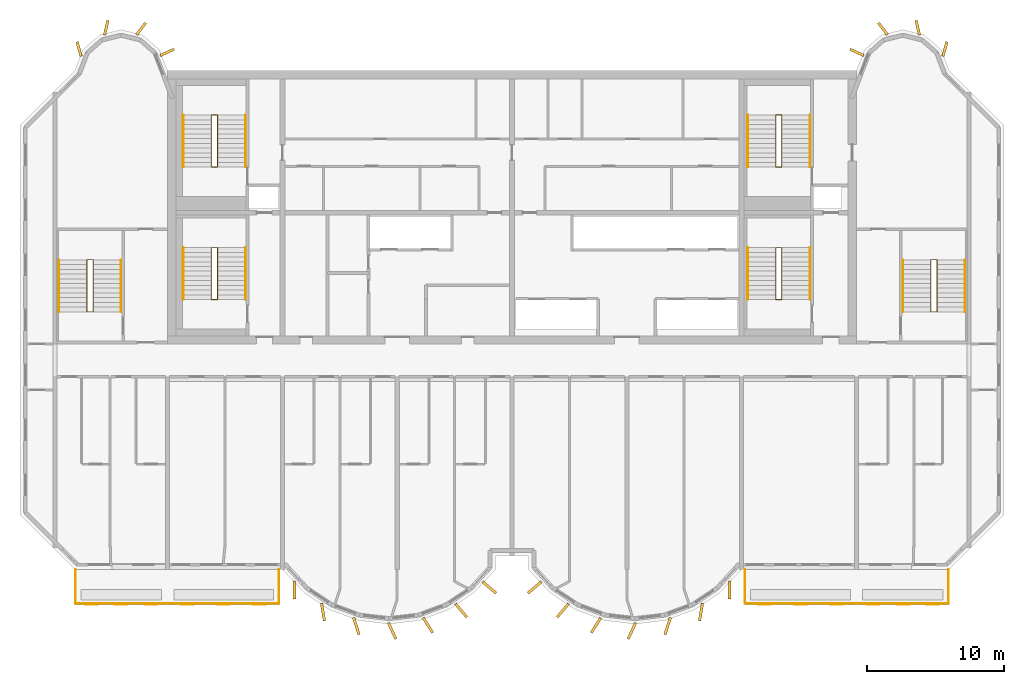
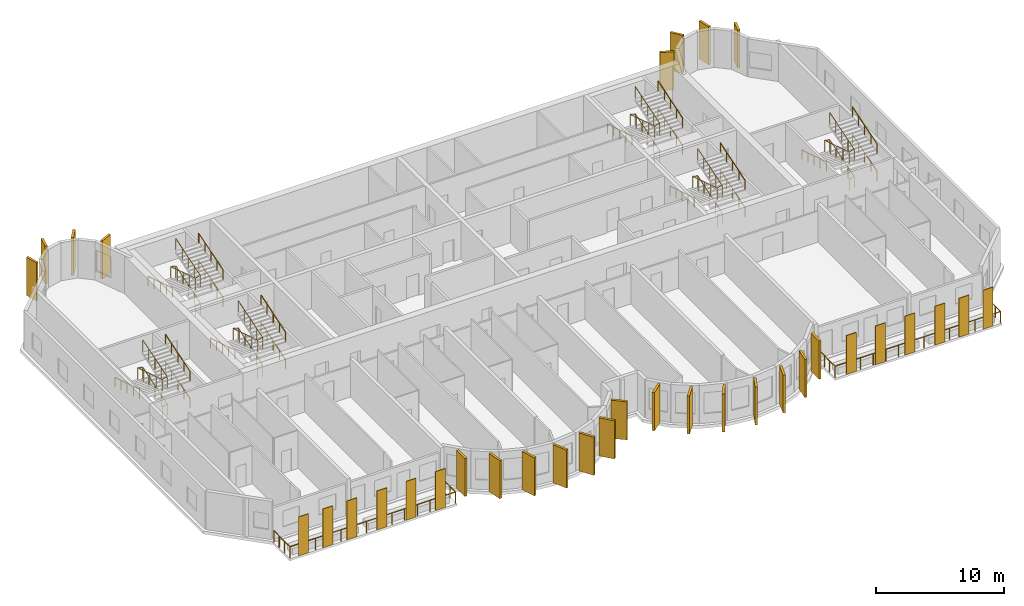
# One storey, part 10 of 11: 34 coverings, 26 railings.
"""IFC4 building model written with IfcOpenShell, lengths in metres."""

from ifc_helpers import new_model, si_unit, direction, frame, origin, origin_2d, place, context, subcontext, project, spatial, rectangle, circle, extrude, source, transform, mapped, material, layer, layer_set, material_profile, profile_set, type_object, element, save


model = new_model("IFC4")

# Units and contexts
model_context = context("Model", 3, precision=1e-05, world=origin(), true_north=direction((0.0, 1.0)))
body_context = subcontext(model_context, "Body", "Model", "MODEL_VIEW")
ifc_project = project(units=[si_unit("LENGTHUNIT", "METRE"), si_unit("AREAUNIT", "SQUARE_METRE"), si_unit("VOLUMEUNIT", "CUBIC_METRE"), si_unit("PLANEANGLEUNIT", "RADIAN"), si_unit("MASSUNIT", "GRAM", prefix="KILO")], contexts=[model_context])

# Site, building, storey
site_placement = place(None, origin())
site = spatial("IfcSite", under=ifc_project, at=site_placement, CompositionType="ELEMENT")
building_placement = place(site_placement, origin())
building = spatial("IfcBuilding", under=site, at=building_placement, Name="Vanashikhar Sky Hotel", CompositionType="ELEMENT")
storey_placement = place(building_placement, frame((0.0, 0.0, 245.199951171875)))
storey = spatial("IfcBuildingStorey", under=building, at=storey_placement, Name="L59", CompositionType="ELEMENT", Elevation=245.199951171875)

# Railings
ifc_material_1 = material(Name="Stainless steel 316", Category="steel")
railing_type_1 = type_object("IfcRailingType", Name="Balcony guard 1100", PredefinedType="GUARDRAIL", material=ifc_material_1)
shared_shape_1 = source(origin(), body_context, "Body", "SweptSolid", [
    extrude(circle(Radius=0.02392578125, at=origin_2d()), frame((0.0, 0.0, 1.076171875), z_axis=(0.0, -1.0, 0.0), x_axis=(1.0, 0.0, 0.0)), (0.0, 0.0, 1.0), 2.5),
    extrude(circle(Radius=0.02392578125, at=origin_2d()), frame((0.0, -2.5, 1.076171875), z_axis=(1.0, 0.0, 0.0), x_axis=(0.0, 1.0, 0.0)), (0.0, 0.0, 1.0), 14.880126953125),
    extrude(circle(Radius=0.02392578125, at=origin_2d()), frame((14.880126953125, -2.5, 1.076171875), z_axis=(0.0, 1.0, 0.0), x_axis=(-1.0, 0.0, 0.0)), (0.0, 0.0, 1.0), 2.5),
    extrude(circle(Radius=0.02099609375, at=origin_2d()), origin(), (0.0, 0.0, 1.0), 1.052001953125),
    extrude(circle(Radius=0.02099609375, at=origin_2d()), frame((0.0, -0.833251953125, 0.0)), (0.0, 0.0, 1.0), 1.052001953125),
    extrude(circle(Radius=0.02099609375, at=origin_2d()), frame((0.0, -1.666748046875, 0.0)), (0.0, 0.0, 1.0), 1.052001953125),
    extrude(circle(Radius=0.02099609375, at=origin_2d()), frame((0.0, -2.5, 0.0)), (0.0, 0.0, 1.0), 1.052001953125),
    extrude(circle(Radius=0.02099609375, at=origin_2d()), frame((1.14453125, -2.5, 0.0)), (0.0, 0.0, 1.0), 1.052001953125),
    extrude(circle(Radius=0.02099609375, at=origin_2d()), frame((2.289306640625, -2.5, 0.0)), (0.0, 0.0, 1.0), 1.052001953125),
    extrude(circle(Radius=0.02099609375, at=origin_2d()), frame((3.433837890625, -2.5, 0.0)), (0.0, 0.0, 1.0), 1.052001953125),
    extrude(circle(Radius=0.02099609375, at=origin_2d()), frame((4.57861328125, -2.5, 0.0)), (0.0, 0.0, 1.0), 1.052001953125),
    extrude(circle(Radius=0.02099609375, at=origin_2d()), frame((5.72314453125, -2.5, 0.0)), (0.0, 0.0, 1.0), 1.052001953125),
    extrude(circle(Radius=0.02099609375, at=origin_2d()), frame((6.86767578125, -2.5, 0.0)), (0.0, 0.0, 1.0), 1.052001953125),
    extrude(circle(Radius=0.02099609375, at=origin_2d()), frame((8.012451171875, -2.5, 0.0)), (0.0, 0.0, 1.0), 1.052001953125),
    extrude(circle(Radius=0.02099609375, at=origin_2d()), frame((9.156982421875, -2.5, 0.0)), (0.0, 0.0, 1.0), 1.052001953125),
    extrude(circle(Radius=0.02099609375, at=origin_2d()), frame((10.301513671875, -2.5, 0.0)), (0.0, 0.0, 1.0), 1.052001953125),
    extrude(circle(Radius=0.02099609375, at=origin_2d()), frame((11.4462890625, -2.5, 0.0)), (0.0, 0.0, 1.0), 1.052001953125),
    extrude(circle(Radius=0.02099609375, at=origin_2d()), frame((12.5908203125, -2.5, 0.0)), (0.0, 0.0, 1.0), 1.052001953125),
    extrude(circle(Radius=0.02099609375, at=origin_2d()), frame((13.735595703125, -2.5, 0.0)), (0.0, 0.0, 1.0), 1.052001953125),
    extrude(circle(Radius=0.02099609375, at=origin_2d()), frame((14.880126953125, -2.5, 0.0)), (0.0, 0.0, 1.0), 1.052001953125),
    extrude(circle(Radius=0.02099609375, at=origin_2d()), frame((14.880126953125, -1.666748046875, 0.0)), (0.0, 0.0, 1.0), 1.052001953125),
    extrude(circle(Radius=0.02099609375, at=origin_2d()), frame((14.880126953125, -0.833251953125, 0.0)), (0.0, 0.0, 1.0), 1.052001953125),
    extrude(circle(Radius=0.02099609375, at=origin_2d()), frame((14.880126953125, 0.0, 0.0)), (0.0, 0.0, 1.0), 1.052001953125),
])
for number, where, name in (
    (1, (18.4599609375, 5.5, -0.050048828125), "Balcony guard"),
    (2, (67.4599609375, 5.5, -0.050048828125), "Balcony guard"),
):
    element("IfcRailing", number, at=place(storey_placement, frame(where)), inside=storey, type_object=railing_type_1, Name=name, PredefinedType="GUARDRAIL", context=body_context, shape_type="MappedRepresentation", body=[
        mapped(shared_shape_1, transform((0.0, 0.0, 0.0), scale=1.0)),
    ])

# Coverings
ifc_material_2 = material(Name="Terracotta", Category="masonry")
ifc_layer = layer(ifc_material_2, 0.06005859375)
ifc_layer_set = layer_set([ifc_layer], Name="Terracotta baguette screen")
covering_type_1 = type_object("IfcCoveringType", Name="Terracotta baguette screen", PredefinedType="CLADDING", material=ifc_layer_set)
shared_shape_2 = source(origin(), body_context, "Body", "SweptSolid", [
    extrude(rectangle(XDim=0.89990234375, YDim=0.06005859375, at=origin_2d()), origin(), (0.0, 0.0, 1.0), 3.699951171875),
])
for number, where, z_axis, x_axis, name in (
    (3, (19.63330078125, 2.929931640625, -0.0498046875), (0.0, 0.0, 1.0), (1.0, 0.0, 0.0), "Terracotta screen"),
    (4, (21.800048828125, 2.929931640625, -0.0498046875), (0.0, 0.0, 1.0), (1.0, 0.0, 0.0), "Terracotta screen"),
    (5, (23.966796875, 2.929931640625, -0.0498046875), (0.0, 0.0, 1.0), (1.0, 0.0, 0.0), "Terracotta screen"),
    (6, (26.666748046875, 2.929931640625, -0.0498046875), (0.0, 0.0, 1.0), (1.0, 0.0, 0.0), "Terracotta screen"),
    (7, (29.300048828125, 2.929931640625, -0.0498046875), (0.0, 0.0, 1.0), (1.0, 0.0, 0.0), "Terracotta screen"),
    (8, (31.933349609375, 2.929931640625, -0.0498046875), (0.0, 0.0, 1.0), (1.0, 0.0, 0.0), "Terracotta screen"),
    (9, (68.86669921875, 2.929931640625, -0.0498046875), (0.0, 0.0, 1.0), (1.0, 0.0, 0.0), "Terracotta screen"),
    (10, (71.5, 2.929931640625, -0.0498046875), (0.0, 0.0, 1.0), (1.0, 0.0, 0.0), "Terracotta screen"),
    (11, (74.13330078125, 2.929931640625, -0.0498046875), (0.0, 0.0, 1.0), (1.0, 0.0, 0.0), "Terracotta screen"),
    (12, (76.833251953125, 2.929931640625, -0.0498046875), (0.0, 0.0, 1.0), (1.0, 0.0, 0.0), "Terracotta screen"),
    (13, (79.0, 2.929931640625, -0.0498046875), (0.0, 0.0, 1.0), (1.0, 0.0, 0.0), "Terracotta screen"),
    (14, (81.166748046875, 2.929931640625, -0.0498046875), (0.0, 0.0, 1.0), (1.0, 0.0, 0.0), "Terracotta screen"),
):
    element("IfcCovering", number, at=place(storey_placement, frame(where, z_axis=z_axis, x_axis=x_axis)), inside=storey, type_object=covering_type_1, Name=name, PredefinedType="CLADDING", context=body_context, shape_type="MappedRepresentation", body=[
        mapped(shared_shape_2, transform((0.0, 0.0, 0.0), scale=1.0)),
    ])
ifc_material_3 = material(Name="Concrete M60 dark", Category="concrete")
ifc_material_profile_1 = material_profile(ifc_material_3, rectangle(XDim=1.300048828125, YDim=0.199951171875, at=origin_2d()))
ifc_profile_set_1 = profile_set([ifc_material_profile_1], Name="Fin 1300 x 200")
covering_type_2 = type_object("IfcCoveringType", Name="Fin 1300 x 200", PredefinedType="CLADDING", material=ifc_profile_set_1)
shared_shape_3 = source(origin(), body_context, "Body", "SweptSolid", [
    extrude(rectangle(XDim=1.300048828125, YDim=0.199951171875, at=origin_2d()), origin(), (0.0, 0.0, 1.0), 3.6201171875),
])
for number, where, z_axis, x_axis, name in (
    (15, (34.482421875, 3.992919921875, 0.0), (0.0, 0.0, 1.0), (0.011588726826, -0.999932848451, 0.0), "Fin F1-1"),
    (16, (36.572509765625, 2.3779296875, 0.0), (0.0, 0.0, 1.0), (0.16989991575, -0.985461322746, 0.0), "Fin F1-2"),
    (17, (39.00830078125, 1.35693359375, 0.0), (0.0, 0.0, 1.0), (0.303966551867, -0.952682704444, 0.0), "Fin F1-3"),
    (18, (41.63232421875, 1.00146484375, 0.0), (0.0, 0.0, 1.0), (0.422618261741, -0.906307787037, 0.0), "Fin F1-4"),
    (19, (44.251953125, 1.416015625, 0.0), (0.0, 0.0, 1.0), (0.534411358496, -0.845224526331, 0.0), "Fin F1-5"),
    (20, (46.676025390625, 2.5, 0.0), (0.0, 0.0, 1.0), (0.645697609467, -0.763593214433, 0.0), "Fin F1-6"),
    (21, (48.7412109375, 4.1845703125, 0.0), (0.0, 0.0, 1.0), (0.758543912032, -0.65162192529, 0.0), "Fin F1-7"),
    (22, (52.058837890625, 4.1845703125, 0.0), (0.0, 0.0, 1.0), (-0.758543912032, -0.65162192529, 0.0), "Fin F2-1"),
    (23, (54.123779296875, 2.5, 0.0), (0.0, 0.0, 1.0), (-0.645697609467, -0.763593214433, 0.0), "Fin F2-2"),
    (24, (56.547119140625, 1.416015625, 0.0), (0.0, 0.0, 1.0), (-0.534411358496, -0.845224526331, 0.0), "Fin F2-3"),
    (25, (59.16748046875, 1.00146484375, 0.0), (0.0, 0.0, 1.0), (-0.422618261741, -0.906307787037, 0.0), "Fin F2-4"),
    (26, (61.790771484375, 1.35693359375, 0.0), (0.0, 0.0, 1.0), (-0.303966551867, -0.952682704444, 0.0), "Fin F2-5"),
    (27, (64.2275390625, 2.3779296875, 0.0), (0.0, 0.0, 1.0), (-0.16989991575, -0.985461322746, 0.0), "Fin F2-6"),
    (28, (66.317626953125, 3.992919921875, 0.0), (0.0, 0.0, 1.0), (-0.011588726826, -0.999932848451, 0.0), "Fin F2-7"),
):
    element("IfcCovering", number, at=place(storey_placement, frame(where, z_axis=z_axis, x_axis=x_axis)), inside=storey, type_object=covering_type_2, Name=name, PredefinedType="CLADDING", context=body_context, shape_type="MappedRepresentation", body=[
        mapped(shared_shape_3, transform((0.0, 0.0, 0.0), scale=1.0)),
    ])
ifc_material_profile_2 = material_profile(ifc_material_3, rectangle(XDim=1.10009765625, YDim=0.199951171875, at=origin_2d()))
ifc_profile_set_2 = profile_set([ifc_material_profile_2], Name="Rear lobe fin 1100 x 200")
covering_type_3 = type_object("IfcCoveringType", Name="Rear lobe fin 1100 x 200", PredefinedType="CLADDING", material=ifc_profile_set_2)
shared_shape_4 = source(origin(), body_context, "Body", "SweptSolid", [
    extrude(rectangle(XDim=1.10009765625, YDim=0.199951171875, at=origin_2d()), origin(), (0.0, 0.0, 1.0), 3.6201171875),
])
for number, where, z_axis, x_axis, name in (
    (29, (18.720703125, 43.580078125, 0.0), (0.0, 0.0, 1.0), (-0.262711264409, 0.964874495234, 0.0), "Fin R1-1"),
    (30, (20.710205078125, 45.1455078125, 0.0), (0.0, 0.0, 1.0), (0.224644935864, 0.974440687159, 0.0), "Fin R1-2"),
    (31, (23.261962890625, 45.06640625, 0.0), (0.0, 0.0, 1.0), (0.602065892195, 0.798446404874, 0.0), "Fin R1-3"),
    (32, (25.169677734375, 43.33447265625, 0.0), (0.0, 0.0, 1.0), (0.908004291068, 0.418960866193, 0.0), "Fin R1-4"),
    (33, (75.63037109375, 43.33447265625, 0.0), (0.0, 0.0, 1.0), (-0.908004291068, 0.418960866193, 0.0), "Fin R2-1"),
    (34, (77.5380859375, 45.06640625, 0.0), (0.0, 0.0, 1.0), (-0.602065892195, 0.798446404874, 0.0), "Fin R2-2"),
    (35, (80.08984375, 45.1455078125, 0.0), (0.0, 0.0, 1.0), (-0.224644935864, 0.974440687159, 0.0), "Fin R2-3"),
    (36, (82.0791015625, 43.580078125, 0.0), (0.0, 0.0, 1.0), (0.262711264409, 0.964874495234, 0.0), "Fin R2-4"),
):
    element("IfcCovering", number, at=place(storey_placement, frame(where, z_axis=z_axis, x_axis=x_axis)), inside=storey, type_object=covering_type_3, Name=name, PredefinedType="CLADDING", context=body_context, shape_type="MappedRepresentation", body=[
        mapped(shared_shape_4, transform((0.0, 0.0, 0.0), scale=1.0)),
    ])

# Railings
ifc_material_4 = material(Name="Steel S355", Category="steel")
railing_type_2 = type_object("IfcRailingType", Name="Stair handrail 900", PredefinedType="HANDRAIL", material=ifc_material_4)
shared_shape_5 = source(origin(), body_context, "Body", "SweptSolid", [
    extrude(circle(Radius=0.02392578125, at=origin_2d()), frame((0.0, 0.0, 0.8759765625), z_axis=(0.0, 0.95418390146, 0.299220791714), x_axis=(-1.0, 0.0, 0.0)), (0.0, 0.0, 1.0), 3.982421875),
    extrude(circle(Radius=0.02099609375, at=origin_2d()), origin(), (0.0, 0.0, 1.0), 0.851806640625),
    extrude(circle(Radius=0.02099609375, at=origin_2d()), frame((0.0, 0.949951171875, 0.2978515625)), (0.0, 0.0, 1.0), 0.851806640625),
    extrude(circle(Radius=0.02099609375, at=origin_2d()), frame((0.0, 1.89990234375, 0.595703125)), (0.0, 0.0, 1.0), 0.851806640625),
    extrude(circle(Radius=0.02099609375, at=origin_2d()), frame((0.0, 2.85009765625, 0.893798828125)), (0.0, 0.0, 1.0), 0.851806640625),
    extrude(circle(Radius=0.02099609375, at=origin_2d()), frame((0.0, 3.800048828125, 1.191650390625)), (0.0, 0.0, 1.0), 0.851806640625),
])
for number, where, name in (
    (37, (30.89990234375, 25.25, 0.1083984375), "Exit stair 1 handrail"),
    (38, (30.89990234375, 25.25, 2.70849609375), "Exit stair 1 handrail"),
    (39, (72.199951171875, 25.25, 0.1083984375), "Exit stair 2 handrail"),
    (40, (72.199951171875, 25.25, 2.70849609375), "Exit stair 2 handrail"),
    (41, (30.89990234375, 34.949951171875, 0.1083984375), "Exit stair 5 handrail"),
    (42, (30.89990234375, 34.949951171875, 2.70849609375), "Exit stair 5 handrail"),
    (43, (72.199951171875, 34.949951171875, 0.1083984375), "Exit stair 6 handrail"),
    (44, (72.199951171875, 34.949951171875, 2.70849609375), "Exit stair 6 handrail"),
):
    element("IfcRailing", number, at=place(storey_placement, frame(where)), inside=storey, type_object=railing_type_2, Name=name, PredefinedType="HANDRAIL", context=body_context, shape_type="MappedRepresentation", body=[
        mapped(shared_shape_5, transform((0.0, 0.0, 0.0), scale=1.0)),
    ])
shared_shape_6 = source(origin(), body_context, "Body", "SweptSolid", [
    extrude(circle(Radius=0.02392578125, at=origin_2d()), frame((0.0, 0.0, 0.8759765625), z_axis=(0.0, -0.95418390146, 0.299220791714), x_axis=(1.0, 0.0, 0.0)), (0.0, 0.0, 1.0), 3.982421875),
    extrude(circle(Radius=0.02099609375, at=origin_2d()), origin(), (0.0, 0.0, 1.0), 0.851806640625),
    extrude(circle(Radius=0.02099609375, at=origin_2d()), frame((0.0, -0.949951171875, 0.2978515625)), (0.0, 0.0, 1.0), 0.851806640625),
    extrude(circle(Radius=0.02099609375, at=origin_2d()), frame((0.0, -1.89990234375, 0.595703125)), (0.0, 0.0, 1.0), 0.851806640625),
    extrude(circle(Radius=0.02099609375, at=origin_2d()), frame((0.0, -2.85009765625, 0.893798828125)), (0.0, 0.0, 1.0), 0.851806640625),
    extrude(circle(Radius=0.02099609375, at=origin_2d()), frame((0.0, -3.800048828125, 1.191650390625)), (0.0, 0.0, 1.0), 0.851806640625),
])
for number, where, name in (
    (45, (26.35009765625, 29.050048828125, 1.408447265625), "Exit stair 1 handrail"),
    (46, (67.64990234375, 29.050048828125, 1.408447265625), "Exit stair 2 handrail"),
    (47, (26.35009765625, 38.75, 1.408447265625), "Exit stair 5 handrail"),
    (48, (67.64990234375, 38.75, 1.408447265625), "Exit stair 6 handrail"),
):
    element("IfcRailing", number, at=place(storey_placement, frame(where)), inside=storey, type_object=railing_type_2, Name=name, PredefinedType="HANDRAIL", context=body_context, shape_type="MappedRepresentation", body=[
        mapped(shared_shape_6, transform((0.0, 0.0, 0.0), scale=1.0)),
    ])
railing_type_3 = type_object("IfcRailingType", Name="Stair guard 1100", PredefinedType="GUARDRAIL", material=ifc_material_4)
shared_shape_7 = source(origin(), body_context, "Body", "SweptSolid", [
    extrude(circle(Radius=0.02392578125, at=origin_2d()), frame((0.0, 0.0, 1.076171875), z_axis=(0.972214749574, 0.0, 0.234090753151), x_axis=(0.0, 1.0, 0.0)), (0.0, 0.0, 1.0), 0.463134765625),
    extrude(circle(Radius=0.02392578125, at=origin_2d()), frame((0.4501953125, 0.0, 1.1845703125), z_axis=(0.0, 0.95418390146, 0.299220791714), x_axis=(-1.0, 0.0, 0.0)), (0.0, 0.0, 1.0), 3.982421875),
    extrude(circle(Radius=0.02392578125, at=origin_2d()), frame((0.4501953125, 3.800048828125, 2.3759765625), z_axis=(-0.972214749574, 0.0, 0.234090753151), x_axis=(0.0, -1.0, 0.0)), (0.0, 0.0, 1.0), 0.463134765625),
    extrude(circle(Radius=0.02392578125, at=origin_2d()), frame((0.0, 3.800048828125, 2.484375), z_axis=(0.0, -0.95418390146, 0.299220791714), x_axis=(1.0, 0.0, 0.0)), (0.0, 0.0, 1.0), 3.982421875),
    extrude(circle(Radius=0.02392578125, at=origin_2d()), frame((0.0, 0.0, 3.67626953125), z_axis=(0.972214749574, 0.0, 0.234090753151), x_axis=(0.0, 1.0, 0.0)), (0.0, 0.0, 1.0), 0.463134765625),
    extrude(circle(Radius=0.02392578125, at=origin_2d()), frame((0.4501953125, 0.0, 3.78466796875), z_axis=(0.0, 0.95418390146, 0.299220791714), x_axis=(-1.0, 0.0, 0.0)), (0.0, 0.0, 1.0), 3.982421875),
    extrude(circle(Radius=0.02099609375, at=origin_2d()), origin(), (0.0, 0.0, 1.0), 1.052001953125),
    extrude(circle(Radius=0.02099609375, at=origin_2d()), frame((0.4501953125, 0.0, 0.1083984375)), (0.0, 0.0, 1.0), 1.052001953125),
    extrude(circle(Radius=0.02099609375, at=origin_2d()), frame((0.4501953125, 0.949951171875, 0.40625)), (0.0, 0.0, 1.0), 1.052001953125),
    extrude(circle(Radius=0.02099609375, at=origin_2d()), frame((0.4501953125, 1.89990234375, 0.7041015625)), (0.0, 0.0, 1.0), 1.052001953125),
    extrude(circle(Radius=0.02099609375, at=origin_2d()), frame((0.4501953125, 2.85009765625, 1.002197265625)), (0.0, 0.0, 1.0), 1.052001953125),
    extrude(circle(Radius=0.02099609375, at=origin_2d()), frame((0.4501953125, 3.800048828125, 1.300048828125)), (0.0, 0.0, 1.0), 1.052001953125),
    extrude(circle(Radius=0.02099609375, at=origin_2d()), frame((0.0, 3.800048828125, 1.408447265625)), (0.0, 0.0, 1.0), 1.052001953125),
    extrude(circle(Radius=0.02099609375, at=origin_2d()), frame((0.0, 2.85009765625, 1.706298828125)), (0.0, 0.0, 1.0), 1.052001953125),
    extrude(circle(Radius=0.02099609375, at=origin_2d()), frame((0.0, 1.89990234375, 2.00439453125)), (0.0, 0.0, 1.0), 1.052001953125),
    extrude(circle(Radius=0.02099609375, at=origin_2d()), frame((0.0, 0.949951171875, 2.30224609375)), (0.0, 0.0, 1.0), 1.052001953125),
    extrude(circle(Radius=0.02099609375, at=origin_2d()), frame((0.0, 0.0, 2.60009765625)), (0.0, 0.0, 1.0), 1.052001953125),
    extrude(circle(Radius=0.02099609375, at=origin_2d()), frame((0.4501953125, 0.0, 2.70849609375)), (0.0, 0.0, 1.0), 1.052001953125),
    extrude(circle(Radius=0.02099609375, at=origin_2d()), frame((0.4501953125, 0.949951171875, 3.00634765625)), (0.0, 0.0, 1.0), 1.052001953125),
    extrude(circle(Radius=0.02099609375, at=origin_2d()), frame((0.4501953125, 1.89990234375, 3.30419921875)), (0.0, 0.0, 1.0), 1.052001953125),
    extrude(circle(Radius=0.02099609375, at=origin_2d()), frame((0.4501953125, 2.85009765625, 3.602294921875)), (0.0, 0.0, 1.0), 1.052001953125),
    extrude(circle(Radius=0.02099609375, at=origin_2d()), frame((0.4501953125, 3.800048828125, 3.900146484375)), (0.0, 0.0, 1.0), 1.052001953125),
])
for number, where, name in (
    (49, (28.39990234375, 25.25, 0.0), "Exit stair 1 guard"),
    (50, (28.39990234375, 34.949951171875, 0.0), "Exit stair 5 guard"),
):
    element("IfcRailing", number, at=place(storey_placement, frame(where)), inside=storey, type_object=railing_type_3, Name=name, PredefinedType="GUARDRAIL", context=body_context, shape_type="MappedRepresentation", body=[
        mapped(shared_shape_7, transform((0.0, 0.0, 0.0), scale=1.0)),
    ])
shared_shape_8 = source(origin(), body_context, "Body", "SweptSolid", [
    extrude(circle(Radius=0.02392578125, at=origin_2d()), frame((0.0, 0.0, 1.076171875), z_axis=(0.972185835864, 0.0, 0.234210803648), x_axis=(0.0, 1.0, 0.0)), (0.0, 0.0, 1.0), 0.462890625),
    extrude(circle(Radius=0.02392578125, at=origin_2d()), frame((0.449951171875, 0.0, 1.1845703125), z_axis=(0.0, 0.95418390146, 0.299220791714), x_axis=(-1.0, 0.0, 0.0)), (0.0, 0.0, 1.0), 3.982421875),
    extrude(circle(Radius=0.02392578125, at=origin_2d()), frame((0.449951171875, 3.800048828125, 2.3759765625), z_axis=(-0.972185835864, 0.0, 0.234210803648), x_axis=(0.0, -1.0, 0.0)), (0.0, 0.0, 1.0), 0.462890625),
    extrude(circle(Radius=0.02392578125, at=origin_2d()), frame((0.0, 3.800048828125, 2.484375), z_axis=(0.0, -0.95418390146, 0.299220791714), x_axis=(1.0, 0.0, 0.0)), (0.0, 0.0, 1.0), 3.982421875),
    extrude(circle(Radius=0.02392578125, at=origin_2d()), frame((0.0, 0.0, 3.67626953125), z_axis=(0.972185835864, 0.0, 0.234210803648), x_axis=(0.0, 1.0, 0.0)), (0.0, 0.0, 1.0), 0.462890625),
    extrude(circle(Radius=0.02392578125, at=origin_2d()), frame((0.449951171875, 0.0, 3.78466796875), z_axis=(0.0, 0.95418390146, 0.299220791714), x_axis=(-1.0, 0.0, 0.0)), (0.0, 0.0, 1.0), 3.982421875),
    extrude(circle(Radius=0.02099609375, at=origin_2d()), origin(), (0.0, 0.0, 1.0), 1.052001953125),
    extrude(circle(Radius=0.02099609375, at=origin_2d()), frame((0.449951171875, 0.0, 0.1083984375)), (0.0, 0.0, 1.0), 1.052001953125),
    extrude(circle(Radius=0.02099609375, at=origin_2d()), frame((0.449951171875, 0.949951171875, 0.40625)), (0.0, 0.0, 1.0), 1.052001953125),
    extrude(circle(Radius=0.02099609375, at=origin_2d()), frame((0.449951171875, 1.89990234375, 0.7041015625)), (0.0, 0.0, 1.0), 1.052001953125),
    extrude(circle(Radius=0.02099609375, at=origin_2d()), frame((0.449951171875, 2.85009765625, 1.002197265625)), (0.0, 0.0, 1.0), 1.052001953125),
    extrude(circle(Radius=0.02099609375, at=origin_2d()), frame((0.449951171875, 3.800048828125, 1.300048828125)), (0.0, 0.0, 1.0), 1.052001953125),
    extrude(circle(Radius=0.02099609375, at=origin_2d()), frame((0.0, 3.800048828125, 1.408447265625)), (0.0, 0.0, 1.0), 1.052001953125),
    extrude(circle(Radius=0.02099609375, at=origin_2d()), frame((0.0, 2.85009765625, 1.706298828125)), (0.0, 0.0, 1.0), 1.052001953125),
    extrude(circle(Radius=0.02099609375, at=origin_2d()), frame((0.0, 1.89990234375, 2.00439453125)), (0.0, 0.0, 1.0), 1.052001953125),
    extrude(circle(Radius=0.02099609375, at=origin_2d()), frame((0.0, 0.949951171875, 2.30224609375)), (0.0, 0.0, 1.0), 1.052001953125),
    extrude(circle(Radius=0.02099609375, at=origin_2d()), frame((0.0, 0.0, 2.60009765625)), (0.0, 0.0, 1.0), 1.052001953125),
    extrude(circle(Radius=0.02099609375, at=origin_2d()), frame((0.449951171875, 0.0, 2.70849609375)), (0.0, 0.0, 1.0), 1.052001953125),
    extrude(circle(Radius=0.02099609375, at=origin_2d()), frame((0.449951171875, 0.949951171875, 3.00634765625)), (0.0, 0.0, 1.0), 1.052001953125),
    extrude(circle(Radius=0.02099609375, at=origin_2d()), frame((0.449951171875, 1.89990234375, 3.30419921875)), (0.0, 0.0, 1.0), 1.052001953125),
    extrude(circle(Radius=0.02099609375, at=origin_2d()), frame((0.449951171875, 2.85009765625, 3.602294921875)), (0.0, 0.0, 1.0), 1.052001953125),
    extrude(circle(Radius=0.02099609375, at=origin_2d()), frame((0.449951171875, 3.800048828125, 3.900146484375)), (0.0, 0.0, 1.0), 1.052001953125),
])
for number, where, name in (
    (51, (69.699951171875, 25.25, 0.0), "Exit stair 2 guard"),
    (52, (69.699951171875, 34.949951171875, 0.0), "Exit stair 6 guard"),
):
    element("IfcRailing", number, at=place(storey_placement, frame(where)), inside=storey, type_object=railing_type_3, Name=name, PredefinedType="GUARDRAIL", context=body_context, shape_type="MappedRepresentation", body=[
        mapped(shared_shape_8, transform((0.0, 0.0, 0.0), scale=1.0)),
    ])
shared_shape_9 = source(origin(), body_context, "Body", "SweptSolid", [
    extrude(circle(Radius=0.02392578125, at=origin_2d()), frame((0.0, 0.0, 0.8759765625), z_axis=(0.0, 0.954178412317, 0.299238295459), x_axis=(-1.0, 0.0, 0.0)), (0.0, 0.0, 1.0), 3.982177734375),
    extrude(circle(Radius=0.02099609375, at=origin_2d()), origin(), (0.0, 0.0, 1.0), 0.851806640625),
    extrude(circle(Radius=0.02099609375, at=origin_2d()), frame((0.0, 0.949951171875, 0.2978515625)), (0.0, 0.0, 1.0), 0.851806640625),
    extrude(circle(Radius=0.02099609375, at=origin_2d()), frame((0.0, 1.89990234375, 0.595703125)), (0.0, 0.0, 1.0), 0.851806640625),
    extrude(circle(Radius=0.02099609375, at=origin_2d()), frame((0.0, 2.849853515625, 0.893798828125)), (0.0, 0.0, 1.0), 0.851806640625),
    extrude(circle(Radius=0.02099609375, at=origin_2d()), frame((0.0, 3.7998046875, 1.191650390625)), (0.0, 0.0, 1.0), 0.851806640625),
])
for number, where, name in (
    (53, (21.800048828125, 24.35009765625, 0.1083984375), "Exit stair 3 handrail"),
    (54, (21.800048828125, 24.35009765625, 2.70849609375), "Exit stair 3 handrail"),
    (55, (83.550048828125, 24.35009765625, 0.1083984375), "Exit stair 4 handrail"),
    (56, (83.550048828125, 24.35009765625, 2.70849609375), "Exit stair 4 handrail"),
):
    element("IfcRailing", number, at=place(storey_placement, frame(where)), inside=storey, type_object=railing_type_2, Name=name, PredefinedType="HANDRAIL", context=body_context, shape_type="MappedRepresentation", body=[
        mapped(shared_shape_9, transform((0.0, 0.0, 0.0), scale=1.0)),
    ])
shared_shape_10 = source(origin(), body_context, "Body", "SweptSolid", [
    extrude(circle(Radius=0.02392578125, at=origin_2d()), frame((0.0, 0.0, 0.8759765625), z_axis=(0.0, -0.954178412317, 0.299238295459), x_axis=(1.0, 0.0, 0.0)), (0.0, 0.0, 1.0), 3.982177734375),
    extrude(circle(Radius=0.02099609375, at=origin_2d()), origin(), (0.0, 0.0, 1.0), 0.851806640625),
    extrude(circle(Radius=0.02099609375, at=origin_2d()), frame((0.0, -0.949951171875, 0.2978515625)), (0.0, 0.0, 1.0), 0.851806640625),
    extrude(circle(Radius=0.02099609375, at=origin_2d()), frame((0.0, -1.89990234375, 0.595703125)), (0.0, 0.0, 1.0), 0.851806640625),
    extrude(circle(Radius=0.02099609375, at=origin_2d()), frame((0.0, -2.849853515625, 0.893798828125)), (0.0, 0.0, 1.0), 0.851806640625),
    extrude(circle(Radius=0.02099609375, at=origin_2d()), frame((0.0, -3.7998046875, 1.191650390625)), (0.0, 0.0, 1.0), 0.851806640625),
])
for number, where, name in (
    (57, (17.25, 28.14990234375, 1.408447265625), "Exit stair 3 handrail"),
    (58, (79.0, 28.14990234375, 1.408447265625), "Exit stair 4 handrail"),
):
    element("IfcRailing", number, at=place(storey_placement, frame(where)), inside=storey, type_object=railing_type_2, Name=name, PredefinedType="HANDRAIL", context=body_context, shape_type="MappedRepresentation", body=[
        mapped(shared_shape_10, transform((0.0, 0.0, 0.0), scale=1.0)),
    ])
shared_shape_11 = source(origin(), body_context, "Body", "SweptSolid", [
    extrude(circle(Radius=0.02392578125, at=origin_2d()), frame((0.0, 0.0, 1.076171875), z_axis=(0.972185835864, 0.0, 0.234210803648), x_axis=(0.0, 1.0, 0.0)), (0.0, 0.0, 1.0), 0.462890625),
    extrude(circle(Radius=0.02392578125, at=origin_2d()), frame((0.449951171875, 0.0, 1.1845703125), z_axis=(0.0, 0.954178412317, 0.299238295459), x_axis=(-1.0, 0.0, 0.0)), (0.0, 0.0, 1.0), 3.982177734375),
    extrude(circle(Radius=0.02392578125, at=origin_2d()), frame((0.449951171875, 3.7998046875, 2.3759765625), z_axis=(-0.972185835864, 0.0, 0.234210803648), x_axis=(0.0, -1.0, 0.0)), (0.0, 0.0, 1.0), 0.462890625),
    extrude(circle(Radius=0.02392578125, at=origin_2d()), frame((0.0, 3.7998046875, 2.484375), z_axis=(0.0, -0.954178412317, 0.299238295459), x_axis=(1.0, 0.0, 0.0)), (0.0, 0.0, 1.0), 3.982177734375),
    extrude(circle(Radius=0.02392578125, at=origin_2d()), frame((0.0, 0.0, 3.67626953125), z_axis=(0.972185835864, 0.0, 0.234210803648), x_axis=(0.0, 1.0, 0.0)), (0.0, 0.0, 1.0), 0.462890625),
    extrude(circle(Radius=0.02392578125, at=origin_2d()), frame((0.449951171875, 0.0, 3.78466796875), z_axis=(0.0, 0.954178412317, 0.299238295459), x_axis=(-1.0, 0.0, 0.0)), (0.0, 0.0, 1.0), 3.982177734375),
    extrude(circle(Radius=0.02099609375, at=origin_2d()), origin(), (0.0, 0.0, 1.0), 1.052001953125),
    extrude(circle(Radius=0.02099609375, at=origin_2d()), frame((0.449951171875, 0.0, 0.1083984375)), (0.0, 0.0, 1.0), 1.052001953125),
    extrude(circle(Radius=0.02099609375, at=origin_2d()), frame((0.449951171875, 0.949951171875, 0.40625)), (0.0, 0.0, 1.0), 1.052001953125),
    extrude(circle(Radius=0.02099609375, at=origin_2d()), frame((0.449951171875, 1.89990234375, 0.7041015625)), (0.0, 0.0, 1.0), 1.052001953125),
    extrude(circle(Radius=0.02099609375, at=origin_2d()), frame((0.449951171875, 2.849853515625, 1.002197265625)), (0.0, 0.0, 1.0), 1.052001953125),
    extrude(circle(Radius=0.02099609375, at=origin_2d()), frame((0.449951171875, 3.7998046875, 1.300048828125)), (0.0, 0.0, 1.0), 1.052001953125),
    extrude(circle(Radius=0.02099609375, at=origin_2d()), frame((0.0, 3.7998046875, 1.408447265625)), (0.0, 0.0, 1.0), 1.052001953125),
    extrude(circle(Radius=0.02099609375, at=origin_2d()), frame((0.0, 2.849853515625, 1.706298828125)), (0.0, 0.0, 1.0), 1.052001953125),
    extrude(circle(Radius=0.02099609375, at=origin_2d()), frame((0.0, 1.89990234375, 2.00439453125)), (0.0, 0.0, 1.0), 1.052001953125),
    extrude(circle(Radius=0.02099609375, at=origin_2d()), frame((0.0, 0.949951171875, 2.30224609375)), (0.0, 0.0, 1.0), 1.052001953125),
    extrude(circle(Radius=0.02099609375, at=origin_2d()), frame((0.0, 0.0, 2.60009765625)), (0.0, 0.0, 1.0), 1.052001953125),
    extrude(circle(Radius=0.02099609375, at=origin_2d()), frame((0.449951171875, 0.0, 2.70849609375)), (0.0, 0.0, 1.0), 1.052001953125),
    extrude(circle(Radius=0.02099609375, at=origin_2d()), frame((0.449951171875, 0.949951171875, 3.00634765625)), (0.0, 0.0, 1.0), 1.052001953125),
    extrude(circle(Radius=0.02099609375, at=origin_2d()), frame((0.449951171875, 1.89990234375, 3.30419921875)), (0.0, 0.0, 1.0), 1.052001953125),
    extrude(circle(Radius=0.02099609375, at=origin_2d()), frame((0.449951171875, 2.849853515625, 3.602294921875)), (0.0, 0.0, 1.0), 1.052001953125),
    extrude(circle(Radius=0.02099609375, at=origin_2d()), frame((0.449951171875, 3.7998046875, 3.900146484375)), (0.0, 0.0, 1.0), 1.052001953125),
])
for number, where, name in (
    (59, (19.300048828125, 24.35009765625, 0.0), "Exit stair 3 guard"),
    (60, (81.050048828125, 24.35009765625, 0.0), "Exit stair 4 guard"),
):
    element("IfcRailing", number, at=place(storey_placement, frame(where)), inside=storey, type_object=railing_type_3, Name=name, PredefinedType="GUARDRAIL", context=body_context, shape_type="MappedRepresentation", body=[
        mapped(shared_shape_11, transform((0.0, 0.0, 0.0), scale=1.0)),
    ])

save(model, "model.ifc")
